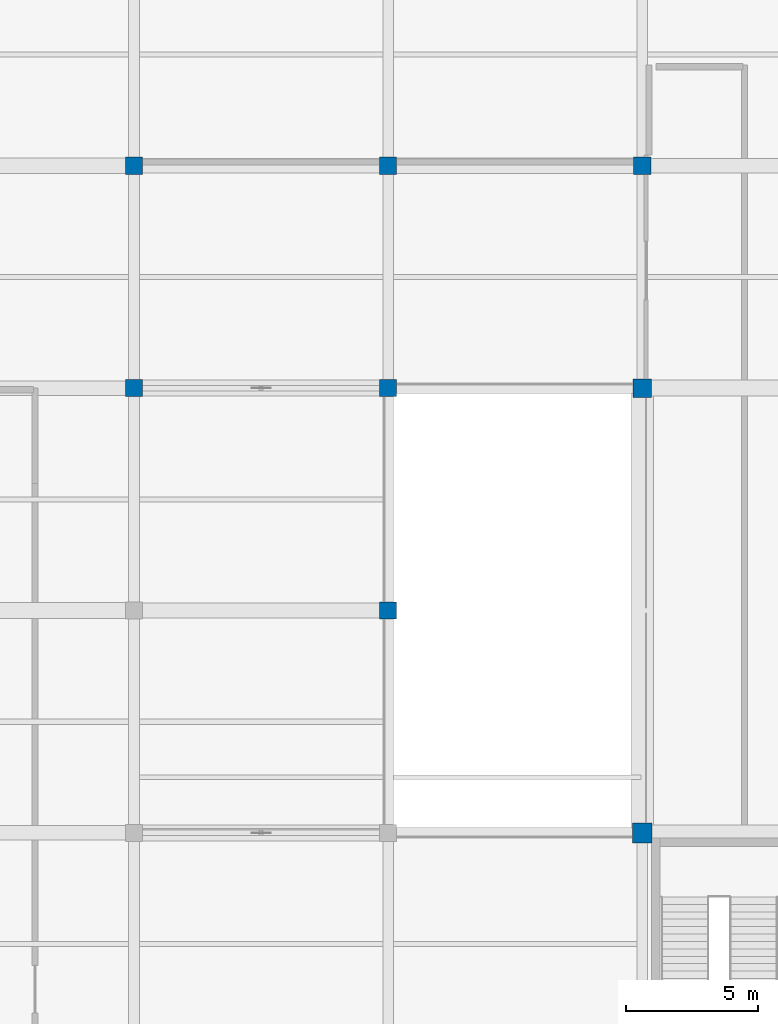
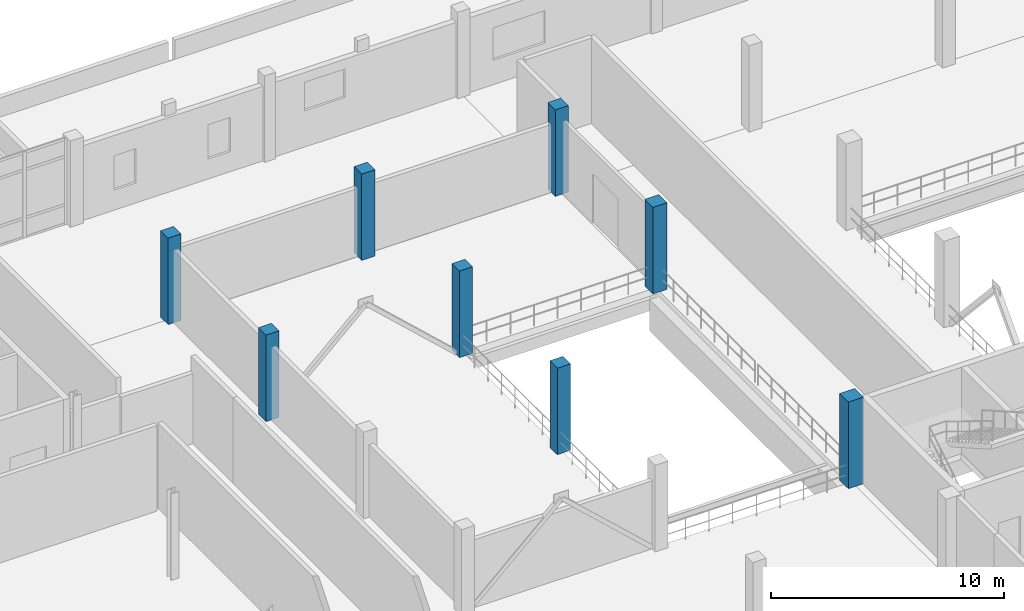
# One storey, part 10 of 102: 8 columns.
"""IFC4 building model written with IfcOpenShell, lengths in metres."""

from ifc_helpers import new_model, si_unit, direction, frame, origin, origin_2d, place, context, subcontext, project, spatial, rectangle, extrude, material, material_profile, profile_set, type_object, element, save


model = new_model("IFC4")

# Units and contexts
model_context = context("Model", 3, precision=1e-05, world=origin(), true_north=direction((0.0, 1.0)))
body_context = subcontext(model_context, "Body", "Model", "MODEL_VIEW")
ifc_project = project(units=[si_unit("LENGTHUNIT", "METRE"), si_unit("AREAUNIT", "SQUARE_METRE"), si_unit("VOLUMEUNIT", "CUBIC_METRE"), si_unit("PLANEANGLEUNIT", "RADIAN"), si_unit("MASSUNIT", "GRAM", prefix="KILO")], contexts=[model_context])

# Site, building, storey
site_placement = place(None, origin())
site = spatial("IfcSite", under=ifc_project, at=site_placement, CompositionType="ELEMENT")
building_placement = place(site_placement, origin())
building = spatial("IfcBuilding", under=site, at=building_placement, Name="Lornevale Opera House", CompositionType="ELEMENT")
storey_placement = place(building_placement, frame((0.0, 0.0, 5.39990234375)))
storey = spatial("IfcBuildingStorey", under=building, at=storey_placement, Name="L02", CompositionType="ELEMENT", Elevation=5.39990234375)

# Columns
ifc_material = material(Name="Concrete 40 MPa (CSA A23.1 C-1)", Category="concrete")
ifc_material_profile_1 = material_profile(ifc_material, rectangle(XDim=0.64990234375, YDim=0.64990234375, at=origin_2d()), Name="RC650x650")
ifc_profile_set_1 = profile_set([ifc_material_profile_1], Name="Concrete 40 MPa (CSA A23.1 C-1)")
column_type_1 = type_object("IfcColumnType", Name="Concrete Column 650x650", PredefinedType="COLUMN", material=ifc_profile_set_1)
column_1_placement = place(storey_placement, frame((38.39990234375, 84.0, 0.0), z_axis=(0.0, 0.0, 1.0), x_axis=(1.0, 0.0, 0.0)))
element("IfcColumn", 1, at=column_1_placement, inside=storey, type_object=column_type_1, Name="Concrete Column 650x650 0268", PredefinedType="COLUMN", context=body_context, shape_type="SweptSolid", body=[
    extrude(rectangle(XDim=0.64990234375, YDim=0.64990234375, at=origin_2d()), origin(), (0.0, 0.0, 1.0), 4.5400390625),
])
column_2_placement = place(storey_placement, frame((38.39990234375, 92.39990234375, 0.0), z_axis=(0.0, 0.0, 1.0), x_axis=(1.0, 0.0, 0.0)))
element("IfcColumn", 2, at=column_2_placement, inside=storey, type_object=column_type_1, Name="Concrete Column 650x650 0273", PredefinedType="COLUMN", context=body_context, shape_type="SweptSolid", body=[
    extrude(rectangle(XDim=0.64990234375, YDim=0.64990234375, at=origin_2d()), origin(), (0.0, 0.0, 1.0), 4.530029296875),
])
for number, where, z_axis, x_axis, name in (
    (3, (48.0, 75.60009765625, 0.0), (0.0, 0.0, 1.0), (1.0, 0.0, 0.0), "Concrete Column 650x650 0327"),
    (4, (48.0, 84.0, 0.0), (0.0, 0.0, 1.0), (1.0, 0.0, 0.0), "Concrete Column 650x650 0332"),
):
    element("IfcColumn", number, at=place(storey_placement, frame(where, z_axis=z_axis, x_axis=x_axis)), inside=storey, type_object=column_type_1, Name=name, PredefinedType="COLUMN", context=body_context, shape_type="SweptSolid", body=[
        extrude(rectangle(XDim=0.64990234375, YDim=0.64990234375, at=origin_2d()), origin(), (0.0, 0.0, 1.0), 4.5400390625),
    ])
for number, where, z_axis, x_axis, name in (
    (5, (48.0, 92.39990234375, 0.0), (0.0, 0.0, 1.0), (1.0, 0.0, 0.0), "Concrete Column 650x650 0337"),
    (6, (57.60009765625, 92.39990234375, 0.0), (0.0, 0.0, 1.0), (1.0, 0.0, 0.0), "Concrete Column 650x650 0404"),
):
    element("IfcColumn", number, at=place(storey_placement, frame(where, z_axis=z_axis, x_axis=x_axis)), inside=storey, type_object=column_type_1, Name=name, PredefinedType="COLUMN", context=body_context, shape_type="SweptSolid", body=[
        extrude(rectangle(XDim=0.64990234375, YDim=0.64990234375, at=origin_2d()), origin(), (0.0, 0.0, 1.0), 4.530029296875),
    ])
ifc_material_profile_2 = material_profile(ifc_material, rectangle(XDim=0.699951171875, YDim=0.699951171875, at=origin_2d()), Name="RC700x700")
ifc_profile_set_2 = profile_set([ifc_material_profile_2], Name="Concrete 40 MPa (CSA A23.1 C-1)")
column_type_2 = type_object("IfcColumnType", Name="Concrete Column 700x700", PredefinedType="COLUMN", material=ifc_profile_set_2)
column_3_placement = place(storey_placement, frame((57.60009765625, 84.0, 0.0), z_axis=(0.0, 0.0, 1.0), x_axis=(1.0, 0.0, 0.0)))
element("IfcColumn", 7, at=column_3_placement, inside=storey, type_object=column_type_2, Name="Concrete Column 700x700 0398", PredefinedType="COLUMN", context=body_context, shape_type="SweptSolid", body=[
    extrude(rectangle(XDim=0.699951171875, YDim=0.699951171875, at=origin_2d()), origin(), (0.0, 0.0, 1.0), 4.5400390625),
])
ifc_material_profile_3 = material_profile(ifc_material, rectangle(XDim=0.75, YDim=0.75, at=origin_2d()), Name="RC750x750")
ifc_profile_set_3 = profile_set([ifc_material_profile_3], Name="Concrete 40 MPa (CSA A23.1 C-1)")
column_type_3 = type_object("IfcColumnType", Name="Concrete Column 750x750", PredefinedType="COLUMN", material=ifc_profile_set_3)
column_4_placement = place(storey_placement, frame((57.60009765625, 67.199951171875, 0.0), z_axis=(0.0, 0.0, 1.0), x_axis=(1.0, 0.0, 0.0)))
element("IfcColumn", 8, at=column_4_placement, inside=storey, type_object=column_type_3, Name="Concrete Column 750x750 0389", PredefinedType="COLUMN", context=body_context, shape_type="SweptSolid", body=[
    extrude(rectangle(XDim=0.75, YDim=0.75, at=origin_2d()), origin(), (0.0, 0.0, 1.0), 4.5400390625),
])

save(model, "model.ifc")
